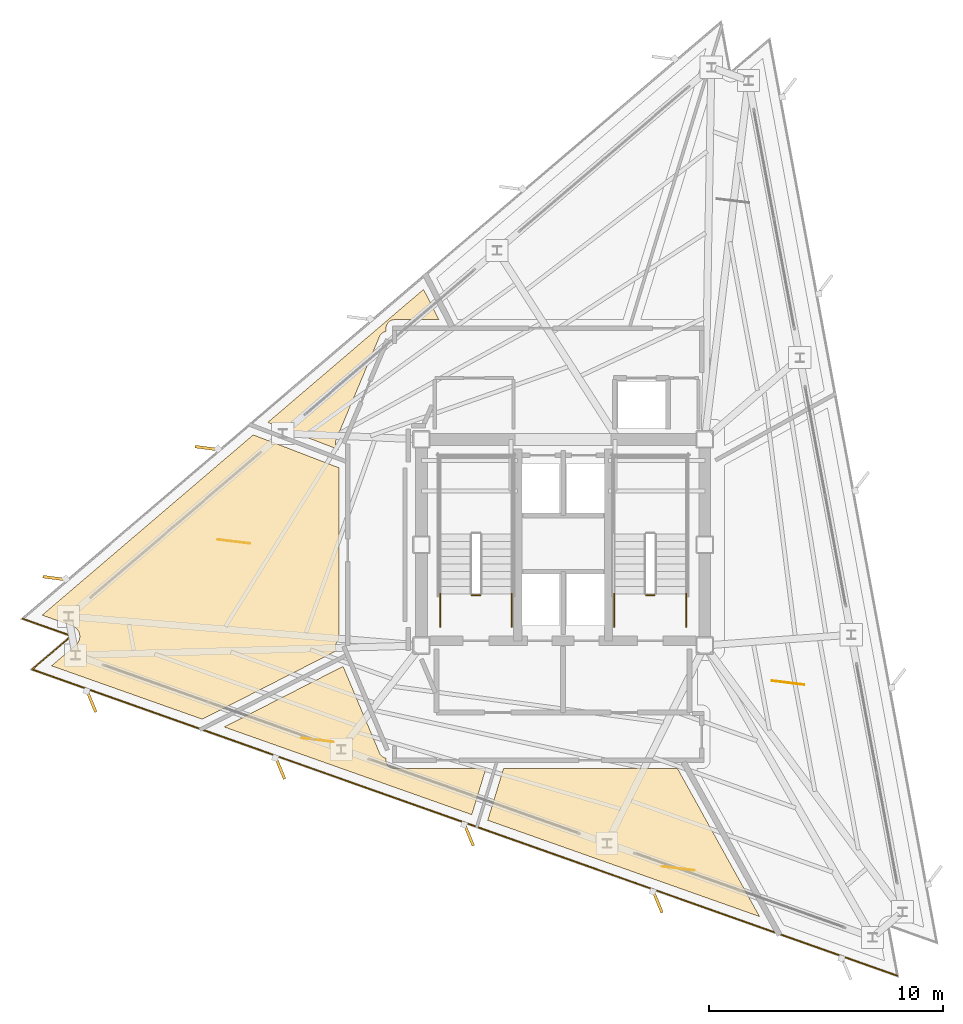
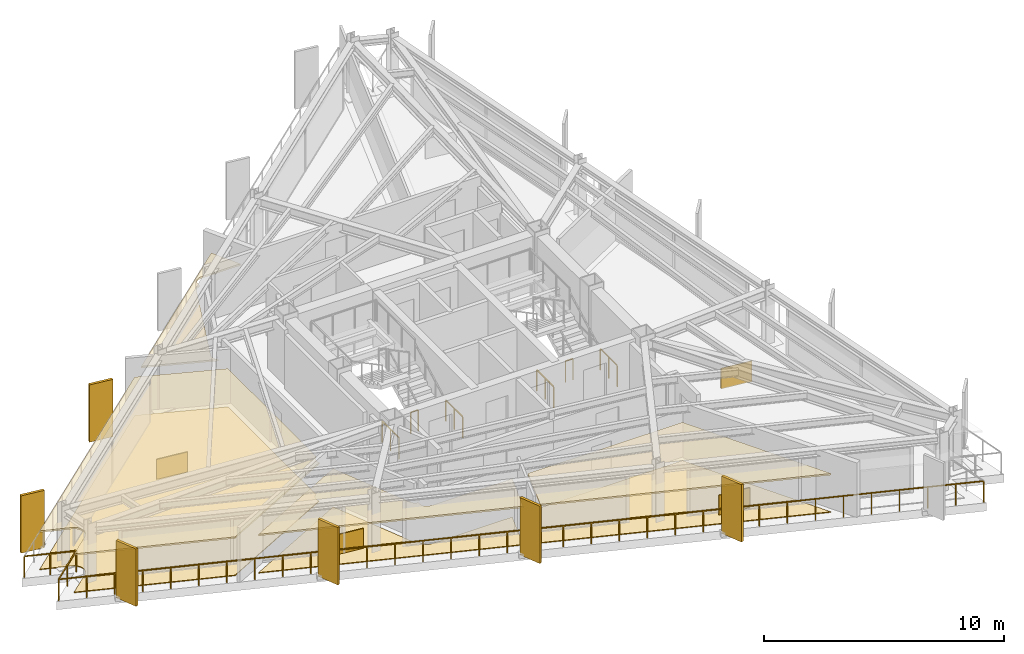
# One storey, part 11 of 14: 11 coverings, 7 railings, 6 shading devices.
"""IFC4 building model written with IfcOpenShell, lengths in metres."""

from ifc_helpers import new_model, si_unit, direction, frame, origin, origin_2d, place, context, subcontext, project, spatial, polyline, rectangle, outline, extrude, material, layer, layer_set, type_object, element, save


model = new_model("IFC4")

# Units and contexts
model_context = context("Model", 3, precision=1e-05, world=origin(), true_north=direction((0.0, 1.0)))
body_context = subcontext(model_context, "Body", "Model", "MODEL_VIEW")
ifc_project = project(units=[si_unit("LENGTHUNIT", "METRE"), si_unit("AREAUNIT", "SQUARE_METRE"), si_unit("VOLUMEUNIT", "CUBIC_METRE"), si_unit("PLANEANGLEUNIT", "RADIAN"), si_unit("MASSUNIT", "GRAM", prefix="KILO")], contexts=[model_context])

# Site, building, storey
site_placement = place(None, origin())
site = spatial("IfcSite", under=ifc_project, at=site_placement, CompositionType="ELEMENT")
building_placement = place(site_placement, origin())
building = spatial("IfcBuilding", under=site, at=building_placement, Name="Rocaltana Carrier Exchange", CompositionType="ELEMENT")
storey_placement = place(building_placement, frame((0.0, 0.0, 175.360107421875)))
storey = spatial("IfcBuildingStorey", under=building, at=storey_placement, Name="L55", CompositionType="ELEMENT", Elevation=175.360107421875)

# Coverings
ifc_material_1 = material(Name="Honed Bogota Sandstone Tile", Category="masonry")
ifc_layer_1 = layer(ifc_material_1, 0.0400390625)
ifc_layer_set_1 = layer_set([ifc_layer_1], Name="Honed Bogota Sandstone Tile")
covering_type_1 = type_object("IfcCoveringType", Name="Honed Stone Lobby Flooring 40", PredefinedType="FLOORING", material=ifc_layer_set_1)
covering_1_placement = place(storey_placement, origin())
element("IfcCovering", 1, at=covering_1_placement, inside=storey, type_object=covering_type_1, Name="L55 Client Reception Foyer Finish Floor", PredefinedType="FLOORING", context=body_context, shape_type="SweptSolid", body=[
    extrude(outline(polyline([(-20.80615234375, -4.279052734375), (-20.795654296875, -4.269775390625), (-20.78125, -4.256103515625), (-20.761962890625, -4.23583984375), (-20.748779296875, -4.220703125), (-20.731689453125, -4.19873046875), (-20.72021484375, -4.1826171875), (-20.705078125, -4.158935546875), (-20.6953125, -4.1416015625), (-20.682861328125, -4.11669921875), (-20.6748046875, -4.098388671875), (-20.664794921875, -4.072265625), (-20.65869140625, -4.053466796875), (-20.6513671875, -4.0263671875), (-20.64697265625, -4.0068359375), (-20.642333984375, -3.9794921875), (-20.64013671875, -3.959716796875), (-20.63818359375, -3.931884765625), (-20.637939453125, -3.911865234375), (-20.638916015625, -3.8837890625), (-20.640625, -3.864013671875), (-20.644287109375, -3.83642578125), (-20.64794921875, -3.81689453125), (-20.654296875, -3.78955078125), (-20.659912109375, -3.7705078125), (-20.6689453125, -3.744140625), (-20.676513671875, -3.7255859375), (-20.688232421875, -3.7001953125), (-20.697509765625, -3.6826171875), (-20.711669921875, -3.658447265625), (-20.72265625, -3.641845703125), (-20.739013671875, -3.619384765625), (-20.751708984375, -3.60400390625), (-20.770263671875, -3.5830078125), (-20.7841796875, -3.569091796875), (-20.804931640625, -3.55029296875), (-20.8203125, -3.53759765625), (-20.8427734375, -3.520751953125), (-20.859375, -3.509765625), (-20.88330078125, -3.495361328125), (-20.90087890625, -3.486083984375), (-20.926025390625, -3.47412109375), (-20.944580078125, -3.466552734375), (-20.95751953125, -3.46142578125), (-22.247802734375, -3.004638671875), (-13.2333984375, 4.694091796875), (-9.56005859375, 3.2841796875), (-9.56005859375, -4.052001953125), (-9.57177734375, -4.06005859375), (-9.578125, -4.064697265625), (-9.59912109375, -4.082275390625), (-9.60498046875, -4.087646484375), (-9.624267578125, -4.107177734375), (-9.629638671875, -4.113037109375), (-9.64697265625, -4.134521484375), (-9.651611328125, -4.140625), (-9.666748046875, -4.16357421875), (-9.670654296875, -4.17041015625), (-9.68359375, -4.194580078125), (-9.686767578125, -4.201904296875), (-9.697265625, -4.227294921875), (-9.69970703125, -4.234619140625), (-9.70751953125, -4.260986328125), (-9.70947265625, -4.2685546875), (-9.714599609375, -4.295654296875), (-9.7158203125, -4.30322265625), (-9.718505859375, -4.330810546875), (-9.71875, -4.33837890625), (-9.718505859375, -4.365966796875), (-9.71826171875, -4.373779296875), (-9.71533203125, -4.401123046875), (-9.714111328125, -4.408935546875), (-9.70849609375, -4.435791015625), (-9.706787109375, -4.443603515625), (-9.698486328125, -4.4697265625), (-9.69580078125, -4.47705078125), (-9.69091796875, -4.489990234375), (-9.67578125, -4.52587890625), (-15.4091796875, -7.447509765625), (-21.8466796875, -5.167724609375), (-20.80615234375, -4.279052734375)])), origin(), (0.0, 0.0, 1.0), 0.039794921875),
])
covering_2_placement = place(storey_placement, origin())
element("IfcCovering", 2, at=covering_2_placement, inside=storey, type_object=covering_type_1, Name="L55 Staff Break Pantry Finish Floor", PredefinedType="FLOORING", context=body_context, shape_type="SweptSolid", body=[
    extrude(outline(polyline([(-14.4736328125, -7.77880859375), (-9.39599609375, -5.19140625), (-7.8408203125, -8.889892578125), (-7.835205078125, -8.90234375), (-7.831787109375, -8.909423828125), (-7.818603515625, -8.93359375), (-7.814697265625, -8.9404296875), (-7.79931640625, -8.963134765625), (-7.794677734375, -8.969482421875), (-7.777099609375, -8.990478515625), (-7.771728515625, -8.996337890625), (-7.752197265625, -9.015625), (-7.746337890625, -9.02099609375), (-7.72509765625, -9.038330078125), (-7.71875, -9.04296875), (-7.69580078125, -9.05810546875), (-7.68896484375, -9.06201171875), (-7.664794921875, -9.074951171875), (-7.65771484375, -9.078125), (-7.632080078125, -9.088623046875), (-7.624755859375, -9.09130859375), (-7.598388671875, -9.09912109375), (-7.5908203125, -9.100830078125), (-7.563720703125, -9.106201171875), (-7.56005859375, -9.106689453125), (-7.56005859375, -9.199951171875), (-7.559814453125, -9.213623046875), (-7.559326171875, -9.2216796875), (-7.556640625, -9.248779296875), (-7.555419921875, -9.256591796875), (-7.550048828125, -9.28369140625), (-7.548095703125, -9.291259765625), (-7.540283203125, -9.317626953125), (-7.53759765625, -9.324951171875), (-7.527099609375, -9.350341796875), (-7.523681640625, -9.357421875), (-7.5107421875, -9.381591796875), (-7.506591796875, -9.388427734375), (-7.491455078125, -9.4111328125), (-7.48681640625, -9.41748046875), (-7.46923828125, -9.438720703125), (-7.464111328125, -9.444580078125), (-7.444580078125, -9.464111328125), (-7.438720703125, -9.46923828125), (-7.41748046875, -9.48681640625), (-7.4111328125, -9.491455078125), (-7.388427734375, -9.506591796875), (-7.381591796875, -9.5107421875), (-7.357421875, -9.523681640625), (-7.350341796875, -9.527099609375), (-7.324951171875, -9.53759765625), (-7.317626953125, -9.540283203125), (-7.291259765625, -9.548095703125), (-7.28369140625, -9.550048828125), (-7.256591796875, -9.555419921875), (-7.248779296875, -9.556640625), (-7.2216796875, -9.559326171875), (-7.213623046875, -9.559814453125), (-7.199951171875, -9.56005859375), (-3.29931640625, -9.56005859375), (-3.8994140625, -11.523193359375), (-14.4736328125, -7.77880859375)])), origin(), (0.0, 0.0, 1.0), 0.039794921875),
])
covering_3_placement = place(storey_placement, origin())
element("IfcCovering", 3, at=covering_3_placement, inside=storey, type_object=covering_type_1, Name="L55 Client Reception Foyer Finish Floor", PredefinedType="FLOORING", context=body_context, shape_type="SweptSolid", body=[
    extrude(outline(polyline([(-3.22021484375, -11.763916015625), (-2.54638671875, -9.56005859375), (4.8876953125, -9.56005859375), (8.3876953125, -15.874267578125), (-3.22021484375, -11.763916015625)])), origin(), (0.0, 0.0, 1.0), 0.039794921875),
])
ifc_material_2 = material(Name="Anodised Aluminium 6063-T6", Category="aluminium")
ifc_layer_2 = layer(ifc_material_2, 0.0849609375)
ifc_layer_set_2 = layer_set([ifc_layer_2], Name="Anodised Aluminium 6063-T6")
covering_type_2 = type_object("IfcCoveringType", Name="Linear Baffle Acoustic Ceiling 85", PredefinedType="CEILING", material=ifc_layer_set_2)
covering_4_placement = place(storey_placement, frame((0.0, 0.0, 1.90283203125)))
element("IfcCovering", 4, at=covering_4_placement, inside=storey, type_object=covering_type_2, Name="L55 Client Reception Foyer Acoustic Ceiling", PredefinedType="CEILING", context=body_context, shape_type="SweptSolid", body=[
    extrude(outline(polyline([(-20.80615234375, -4.279052734375), (-20.795654296875, -4.269775390625), (-20.78125, -4.256103515625), (-20.761962890625, -4.23583984375), (-20.748779296875, -4.220703125), (-20.731689453125, -4.19873046875), (-20.72021484375, -4.1826171875), (-20.705078125, -4.158935546875), (-20.6953125, -4.1416015625), (-20.682861328125, -4.11669921875), (-20.6748046875, -4.098388671875), (-20.664794921875, -4.072265625), (-20.65869140625, -4.053466796875), (-20.6513671875, -4.0263671875), (-20.64697265625, -4.0068359375), (-20.642333984375, -3.9794921875), (-20.64013671875, -3.959716796875), (-20.63818359375, -3.931884765625), (-20.637939453125, -3.911865234375), (-20.638916015625, -3.8837890625), (-20.640625, -3.864013671875), (-20.644287109375, -3.83642578125), (-20.64794921875, -3.81689453125), (-20.654296875, -3.78955078125), (-20.659912109375, -3.7705078125), (-20.6689453125, -3.744140625), (-20.676513671875, -3.7255859375), (-20.688232421875, -3.7001953125), (-20.697509765625, -3.6826171875), (-20.711669921875, -3.658447265625), (-20.72265625, -3.641845703125), (-20.739013671875, -3.619384765625), (-20.751708984375, -3.60400390625), (-20.770263671875, -3.5830078125), (-20.7841796875, -3.569091796875), (-20.804931640625, -3.55029296875), (-20.8203125, -3.53759765625), (-20.8427734375, -3.520751953125), (-20.859375, -3.509765625), (-20.88330078125, -3.495361328125), (-20.90087890625, -3.486083984375), (-20.926025390625, -3.47412109375), (-20.944580078125, -3.466552734375), (-20.95751953125, -3.46142578125), (-22.247802734375, -3.004638671875), (-13.2333984375, 4.694091796875), (-9.56005859375, 3.2841796875), (-9.56005859375, -4.052001953125), (-9.57177734375, -4.06005859375), (-9.578125, -4.064697265625), (-9.59912109375, -4.082275390625), (-9.60498046875, -4.087646484375), (-9.624267578125, -4.107177734375), (-9.629638671875, -4.113037109375), (-9.64697265625, -4.134521484375), (-9.651611328125, -4.140625), (-9.666748046875, -4.16357421875), (-9.670654296875, -4.17041015625), (-9.68359375, -4.194580078125), (-9.686767578125, -4.201904296875), (-9.697265625, -4.227294921875), (-9.69970703125, -4.234619140625), (-9.70751953125, -4.260986328125), (-9.70947265625, -4.2685546875), (-9.714599609375, -4.295654296875), (-9.7158203125, -4.30322265625), (-9.718505859375, -4.330810546875), (-9.71875, -4.33837890625), (-9.718505859375, -4.365966796875), (-9.71826171875, -4.373779296875), (-9.71533203125, -4.401123046875), (-9.714111328125, -4.408935546875), (-9.70849609375, -4.435791015625), (-9.706787109375, -4.443603515625), (-9.698486328125, -4.4697265625), (-9.69580078125, -4.47705078125), (-9.69091796875, -4.489990234375), (-9.67578125, -4.52587890625), (-15.4091796875, -7.447509765625), (-21.8466796875, -5.167724609375), (-20.80615234375, -4.279052734375)])), origin(), (0.0, 0.0, 1.0), 0.0849609375),
])
covering_5_placement = place(storey_placement, frame((0.0, 0.0, 1.90283203125)))
element("IfcCovering", 5, at=covering_5_placement, inside=storey, type_object=covering_type_2, Name="L55 Staff Break Pantry Acoustic Ceiling", PredefinedType="CEILING", context=body_context, shape_type="SweptSolid", body=[
    extrude(outline(polyline([(-14.4736328125, -7.77880859375), (-9.39599609375, -5.19140625), (-7.8408203125, -8.889892578125), (-7.835205078125, -8.90234375), (-7.831787109375, -8.909423828125), (-7.818603515625, -8.93359375), (-7.814697265625, -8.9404296875), (-7.79931640625, -8.963134765625), (-7.794677734375, -8.969482421875), (-7.777099609375, -8.990478515625), (-7.771728515625, -8.996337890625), (-7.752197265625, -9.015625), (-7.746337890625, -9.02099609375), (-7.72509765625, -9.038330078125), (-7.71875, -9.04296875), (-7.69580078125, -9.05810546875), (-7.68896484375, -9.06201171875), (-7.664794921875, -9.074951171875), (-7.65771484375, -9.078125), (-7.632080078125, -9.088623046875), (-7.624755859375, -9.09130859375), (-7.598388671875, -9.09912109375), (-7.5908203125, -9.100830078125), (-7.563720703125, -9.106201171875), (-7.56005859375, -9.106689453125), (-7.56005859375, -9.199951171875), (-7.559814453125, -9.213623046875), (-7.559326171875, -9.2216796875), (-7.556640625, -9.248779296875), (-7.555419921875, -9.256591796875), (-7.550048828125, -9.28369140625), (-7.548095703125, -9.291259765625), (-7.540283203125, -9.317626953125), (-7.53759765625, -9.324951171875), (-7.527099609375, -9.350341796875), (-7.523681640625, -9.357421875), (-7.5107421875, -9.381591796875), (-7.506591796875, -9.388427734375), (-7.491455078125, -9.4111328125), (-7.48681640625, -9.41748046875), (-7.46923828125, -9.438720703125), (-7.464111328125, -9.444580078125), (-7.444580078125, -9.464111328125), (-7.438720703125, -9.46923828125), (-7.41748046875, -9.48681640625), (-7.4111328125, -9.491455078125), (-7.388427734375, -9.506591796875), (-7.381591796875, -9.5107421875), (-7.357421875, -9.523681640625), (-7.350341796875, -9.527099609375), (-7.324951171875, -9.53759765625), (-7.317626953125, -9.540283203125), (-7.291259765625, -9.548095703125), (-7.28369140625, -9.550048828125), (-7.256591796875, -9.555419921875), (-7.248779296875, -9.556640625), (-7.2216796875, -9.559326171875), (-7.213623046875, -9.559814453125), (-7.199951171875, -9.56005859375), (-3.29931640625, -9.56005859375), (-3.8994140625, -11.523193359375), (-14.4736328125, -7.77880859375)])), origin(), (0.0, 0.0, 1.0), 0.0849609375),
])
covering_6_placement = place(storey_placement, frame((0.0, 0.0, 1.90283203125)))
element("IfcCovering", 6, at=covering_6_placement, inside=storey, type_object=covering_type_2, Name="L55 Client Reception Foyer Acoustic Ceiling", PredefinedType="CEILING", context=body_context, shape_type="SweptSolid", body=[
    extrude(outline(polyline([(-3.22021484375, -11.763916015625), (-2.54638671875, -9.56005859375), (4.8876953125, -9.56005859375), (8.3876953125, -15.874267578125), (-3.22021484375, -11.763916015625)])), origin(), (0.0, 0.0, 1.0), 0.0849609375),
])
covering_7_placement = place(storey_placement, frame((0.0, 0.0, 1.90283203125)))
element("IfcCovering", 7, at=covering_7_placement, inside=storey, type_object=covering_type_2, Name="L55 Client Reception Foyer Acoustic Ceiling", PredefinedType="CEILING", context=body_context, shape_type="SweptSolid", body=[
    extrude(outline(polyline([(-9.571044921875, 4.0595703125), (-12.610595703125, 5.226318359375), (-5.960693359375, 10.90576171875), (-5.300537109375, 9.610107421875), (-7.199951171875, 9.610107421875), (-7.213623046875, 9.609619140625), (-7.2216796875, 9.609375), (-7.248779296875, 9.606689453125), (-7.256591796875, 9.60546875), (-7.28369140625, 9.60009765625), (-7.291259765625, 9.59814453125), (-7.317626953125, 9.590087890625), (-7.324951171875, 9.58740234375), (-7.350341796875, 9.576904296875), (-7.357421875, 9.57373046875), (-7.381591796875, 9.560791015625), (-7.388427734375, 9.556640625), (-7.4111328125, 9.54150390625), (-7.41748046875, 9.53662109375), (-7.438720703125, 9.519287109375), (-7.444580078125, 9.513916015625), (-7.464111328125, 9.49462890625), (-7.46923828125, 9.48876953125), (-7.48681640625, 9.467529296875), (-7.491455078125, 9.461181640625), (-7.506591796875, 9.4384765625), (-7.5107421875, 9.431640625), (-7.523681640625, 9.407470703125), (-7.527099609375, 9.400390625), (-7.53759765625, 9.375), (-7.540283203125, 9.36767578125), (-7.548095703125, 9.34130859375), (-7.550048828125, 9.33349609375), (-7.555419921875, 9.306640625), (-7.556640625, 9.298828125), (-7.559326171875, 9.271484375), (-7.559814453125, 9.263671875), (-7.56005859375, 9.25), (-7.56005859375, 9.106689453125), (-7.563720703125, 9.106201171875), (-7.5908203125, 9.100830078125), (-7.598388671875, 9.09912109375), (-7.624755859375, 9.09130859375), (-7.632080078125, 9.088623046875), (-7.65771484375, 9.078125), (-7.664794921875, 9.074951171875), (-7.68896484375, 9.06201171875), (-7.69580078125, 9.05810546875), (-7.71875, 9.04296875), (-7.72509765625, 9.038330078125), (-7.746337890625, 9.02099609375), (-7.752197265625, 9.015625), (-7.771728515625, 8.996337890625), (-7.777099609375, 8.990478515625), (-7.794677734375, 8.969482421875), (-7.79931640625, 8.963134765625), (-7.814697265625, 8.9404296875), (-7.818603515625, 8.93359375), (-7.831787109375, 8.909423828125), (-7.835205078125, 8.90234375), (-7.8408203125, 8.889892578125), (-9.69091796875, 4.489990234375), (-9.69580078125, 4.47705078125), (-9.698486328125, 4.4697265625), (-9.706787109375, 4.443603515625), (-9.70849609375, 4.435791015625), (-9.714111328125, 4.408935546875), (-9.71533203125, 4.401123046875), (-9.71826171875, 4.373779296875), (-9.718505859375, 4.365966796875), (-9.71875, 4.33837890625), (-9.718505859375, 4.330810546875), (-9.7158203125, 4.30322265625), (-9.714599609375, 4.295654296875), (-9.70947265625, 4.2685546875), (-9.70751953125, 4.260986328125), (-9.69970703125, 4.234619140625), (-9.697265625, 4.227294921875), (-9.686767578125, 4.201904296875), (-9.68359375, 4.194580078125), (-9.670654296875, 4.17041015625), (-9.666748046875, 4.16357421875), (-9.651611328125, 4.140625), (-9.64697265625, 4.134521484375), (-9.629638671875, 4.113037109375), (-9.624267578125, 4.107177734375), (-9.60498046875, 4.087646484375), (-9.59912109375, 4.082275390625), (-9.578125, 4.064697265625), (-9.57177734375, 4.06005859375), (-9.571044921875, 4.0595703125)])), origin(), (0.0, 0.0, 1.0), 0.0849609375),
])

# Railings
ifc_material_3 = material(Name="Powder-Coated Aluminium 6063-T6", Category="aluminium")
ifc_layer_3 = layer(ifc_material_3, 0.048095703125)
ifc_layer_set_3 = layer_set([ifc_layer_3], Name="Powder-Coated Aluminium 6063-T6")
railing_type_1 = type_object("IfcRailingType", Name="Stair Well Guardrail 1100", PredefinedType="GUARDRAIL", material=ifc_layer_set_3)
railing_1_placement = place(storey_placement, frame((-3.5400390625, -2.14990234375, 0.0)))
element("IfcRailing", 8, at=railing_1_placement, inside=storey, type_object=railing_type_1, Name="L55 ST-1 stair guard 7", PredefinedType="GUARDRAIL", context=body_context, shape_type="SweptSolid", body=[
    extrude(rectangle(XDim=0.048095703125, YDim=0.048095703125, at=origin_2d()), frame((0.0, 0.0, 1.076171875), z_axis=(-1.0, 0.0, 0.0), x_axis=(0.0, -1.0, 0.0)), (0.0, 0.0, 1.0), 0.35986328125),
    extrude(rectangle(XDim=0.0419921875, YDim=0.0419921875, at=origin_2d()), origin(), (0.0, 0.0, 1.0), 1.052001953125),
    extrude(rectangle(XDim=0.0419921875, YDim=0.0419921875, at=origin_2d()), frame((-0.35986328125, 0.0, 0.0)), (0.0, 0.0, 1.0), 1.052001953125),
])
for number, where, name in (
    (9, (-2.18994140625, -3.5, 0.0), "L55 ST-1 stair guard 8"),
    (10, (-5.25, -3.5, 0.0), "L55 ST-1 stair guard 9"),
):
    element("IfcRailing", number, at=place(storey_placement, frame(where)), inside=storey, type_object=railing_type_1, Name=name, PredefinedType="GUARDRAIL", context=body_context, shape_type="SweptSolid", body=[
        extrude(rectangle(XDim=0.048095703125, YDim=0.048095703125, at=origin_2d()), frame((0.0, 0.0, 1.076171875), z_axis=(0.0, 1.0, 0.0), x_axis=(-1.0, 0.0, 0.0)), (0.0, 0.0, 1.0), 1.39990234375),
        extrude(rectangle(XDim=0.0419921875, YDim=0.0419921875, at=origin_2d()), origin(), (0.0, 0.0, 1.0), 1.052001953125),
        extrude(rectangle(XDim=0.0419921875, YDim=0.0419921875, at=origin_2d()), frame((0.0, 0.699951171875, 0.0)), (0.0, 0.0, 1.0), 1.052001953125),
        extrude(rectangle(XDim=0.0419921875, YDim=0.0419921875, at=origin_2d()), frame((0.0, 1.39990234375, 0.0)), (0.0, 0.0, 1.0), 1.052001953125),
    ])
railing_2_placement = place(storey_placement, frame((3.89990234375, -2.14990234375, 0.0)))
element("IfcRailing", 11, at=railing_2_placement, inside=storey, type_object=railing_type_1, Name="L55 ST-2 stair guard 7", PredefinedType="GUARDRAIL", context=body_context, shape_type="SweptSolid", body=[
    extrude(rectangle(XDim=0.048095703125, YDim=0.048095703125, at=origin_2d()), frame((0.0, 0.0, 1.076171875), z_axis=(-1.0, 0.0, 0.0), x_axis=(0.0, -1.0, 0.0)), (0.0, 0.0, 1.0), 0.35986328125),
    extrude(rectangle(XDim=0.0419921875, YDim=0.0419921875, at=origin_2d()), origin(), (0.0, 0.0, 1.0), 1.052001953125),
    extrude(rectangle(XDim=0.0419921875, YDim=0.0419921875, at=origin_2d()), frame((-0.35986328125, 0.0, 0.0)), (0.0, 0.0, 1.0), 1.052001953125),
])
for number, where, name in (
    (12, (5.25, -3.5, 0.0), "L55 ST-2 stair guard 8"),
    (13, (2.18994140625, -3.5, 0.0), "L55 ST-2 stair guard 9"),
):
    element("IfcRailing", number, at=place(storey_placement, frame(where)), inside=storey, type_object=railing_type_1, Name=name, PredefinedType="GUARDRAIL", context=body_context, shape_type="SweptSolid", body=[
        extrude(rectangle(XDim=0.048095703125, YDim=0.048095703125, at=origin_2d()), frame((0.0, 0.0, 1.076171875), z_axis=(0.0, 1.0, 0.0), x_axis=(-1.0, 0.0, 0.0)), (0.0, 0.0, 1.0), 1.39990234375),
        extrude(rectangle(XDim=0.0419921875, YDim=0.0419921875, at=origin_2d()), origin(), (0.0, 0.0, 1.0), 1.052001953125),
        extrude(rectangle(XDim=0.0419921875, YDim=0.0419921875, at=origin_2d()), frame((0.0, 0.699951171875, 0.0)), (0.0, 0.0, 1.0), 1.052001953125),
        extrude(rectangle(XDim=0.0419921875, YDim=0.0419921875, at=origin_2d()), frame((0.0, 1.39990234375, 0.0)), (0.0, 0.0, 1.0), 1.052001953125),
    ])

# Coverings
ifc_material_4 = material(Name="Honed Piedra Muneca Sandstone", Category="masonry")
ifc_layer_4 = layer(ifc_material_4, 0.034912109375)
ifc_layer_set_4 = layer_set([ifc_layer_4], Name="Honed Piedra Muneca Sandstone")
covering_type_3 = type_object("IfcCoveringType", Name="Stone Facade Cladding 35", PredefinedType="CLADDING", material=ifc_layer_set_4)
for number, where, z_axis, x_axis, name in (
    (14, (-14.06298828125, 0.1396484375, 0.0), (0.0, 0.0, 1.0), (-0.992546151641, 0.121869343405, 0.0), "L55 Stone Facade Cladding Panel 1"),
    (15, (-10.489501953125, -8.334228515625, 0.0), (0.0, 0.0, 1.0), (-0.992546151641, 0.121869343405, 0.0), "L55 Stone Facade Cladding Panel 2"),
    (16, (4.916015625, -13.819091796875, 0.0), (0.0, 0.0, 1.0), (-0.992546151641, 0.121869343405, 0.0), "L55 Stone Facade Cladding Panel 3"),
    (17, (9.601318359375, -5.889892578125, 0.0), (0.0, 0.0, 1.0), (-0.992546151641, 0.121869343405, 0.0), "L55 Stone Facade Cladding Panel 4"),
):
    element("IfcCovering", number, at=place(storey_placement, frame(where, z_axis=z_axis, x_axis=x_axis)), inside=storey, type_object=covering_type_3, Name=name, PredefinedType="CLADDING", context=body_context, shape_type="SweptSolid", body=[
        extrude(rectangle(XDim=1.39990234375, YDim=0.034912109375, at=origin_2d()), origin(), (0.0, 0.0, 1.0), 1.050048828125),
    ])

# Shading devices
ifc_material_5 = material(Name="Honed Bogota Sandstone & Concrete C45/55", Category="masonry")
ifc_layer_5 = layer(ifc_material_5, 0.1201171875)
ifc_layer_set_5 = layer_set([ifc_layer_5], Name="Honed Bogota Sandstone & Concrete C45/55")
shading_device_type = type_object("IfcShadingDeviceType", Name="Upper Sandstone Shading Fin 1050x120", PredefinedType="USERDEFINED", material=ifc_layer_set_5)
for number, where, z_axis, x_axis, name in (
    (18, (-15.19384765625, 4.125, -0.1201171875), (0.0, 0.0, 1.0), (-0.991444861374, 0.13052619222, 0.0), "L55 Sandstone Vertical Fin F2-04"),
    (19, (-21.6953125, -1.427734375, -0.1201171875), (0.0, 0.0, 1.0), (-0.991444861374, 0.13052619222, 0.0), "L55 Sandstone Vertical Fin F2-05"),
    (20, (-20.154296875, -6.65869140625, -0.1201171875), (0.0, 0.0, 1.0), (0.382683432365, -0.923879532511, 0.0), "L55 Sandstone Vertical Fin F3-01"),
    (21, (-12.094482421875, -9.5126953125, -0.1201171875), (0.0, 0.0, 1.0), (0.382683432365, -0.923879532511, 0.0), "L55 Sandstone Vertical Fin F3-02"),
    (22, (-4.034912109375, -12.36669921875, -0.1201171875), (0.0, 0.0, 1.0), (0.382683432365, -0.923879532511, 0.0), "L55 Sandstone Vertical Fin F3-03"),
    (23, (4.0244140625, -15.220947265625, -0.1201171875), (0.0, 0.0, 1.0), (0.382683432365, -0.923879532511, 0.0), "L55 Sandstone Vertical Fin F3-04"),
):
    element("IfcShadingDevice", number, at=place(storey_placement, frame(where, z_axis=z_axis, x_axis=x_axis)), inside=storey, type_object=shading_device_type, Name=name, ObjectType="FIN", PredefinedType="USERDEFINED", context=body_context, shape_type="SweptSolid", body=[
        extrude(rectangle(XDim=1.050048828125, YDim=0.1201171875, at=origin_2d()), origin(), (0.0, 0.0, 1.0), 2.91796875),
    ])

# Railing
ifc_material_6 = material(Name="Powder-Coated Aluminium 6063-T6", Category="aluminium")
ifc_layer_6 = layer(ifc_material_6, 0.06005859375)
ifc_layer_set_6 = layer_set([ifc_layer_6], Name="Powder-Coated Aluminium 6063-T6")
railing_type_2 = type_object("IfcRailingType", Name="Wind-Floor & Terrace Perimeter Guardrail 1100", PredefinedType="GUARDRAIL", material=ifc_layer_set_6)
railing_3_placement = place(storey_placement, frame((14.271484375, -18.403564453125, 0.0)))
element("IfcRailing", 24, at=railing_3_placement, inside=storey, type_object=railing_type_2, Name="L55 Perimeter Balcony Guardrail 1", PredefinedType="GUARDRAIL", context=body_context, shape_type="SweptSolid", body=[
    extrude(rectangle(XDim=0.048095703125, YDim=0.048095703125, at=origin_2d()), frame((0.0, 0.0, 1.076171875), z_axis=(-0.94264008911, 0.333810818284, 0.0), x_axis=(-0.333810818284, -0.94264008911, 0.0)), (0.0, 0.0, 1.0), 39.192138671875),
    extrude(rectangle(XDim=0.048095703125, YDim=0.048095703125, at=origin_2d()), frame((-36.944091796875, 13.082763671875, 1.076171875), z_axis=(0.760414781346, 0.649437726275, 0.0), x_axis=(-0.649437726275, 0.760414781346, 0.0)), (0.0, 0.0, 1.0), 2.199951171875),
    extrude(rectangle(XDim=0.048095703125, YDim=0.048095703125, at=origin_2d()), frame((-35.271240234375, 14.511474609375, 1.076171875), z_axis=(-0.942637410797, 0.333818381408, 0.0), x_axis=(-0.333818381408, -0.942637410797, 0.0)), (0.0, 0.0, 1.0), 2.199951171875),
    extrude(rectangle(XDim=0.0419921875, YDim=0.0419921875, at=origin_2d()), origin(), (0.0, 0.0, 1.0), 1.052001953125),
    extrude(rectangle(XDim=0.0419921875, YDim=0.0419921875, at=origin_2d()), frame((-1.11962890625, 0.396484375, 0.0)), (0.0, 0.0, 1.0), 1.052001953125),
    extrude(rectangle(XDim=0.0419921875, YDim=0.0419921875, at=origin_2d()), frame((-2.239013671875, 0.79296875, 0.0)), (0.0, 0.0, 1.0), 1.052001953125),
    extrude(rectangle(XDim=0.0419921875, YDim=0.0419921875, at=origin_2d()), frame((-3.358642578125, 1.189453125, 0.0)), (0.0, 0.0, 1.0), 1.052001953125),
    extrude(rectangle(XDim=0.0419921875, YDim=0.0419921875, at=origin_2d()), frame((-4.47802734375, 1.585693359375, 0.0)), (0.0, 0.0, 1.0), 1.052001953125),
    extrude(rectangle(XDim=0.0419921875, YDim=0.0419921875, at=origin_2d()), frame((-5.59765625, 1.982177734375, 0.0)), (0.0, 0.0, 1.0), 1.052001953125),
    extrude(rectangle(XDim=0.0419921875, YDim=0.0419921875, at=origin_2d()), frame((-6.717041015625, 2.378662109375, 0.0)), (0.0, 0.0, 1.0), 1.052001953125),
    extrude(rectangle(XDim=0.0419921875, YDim=0.0419921875, at=origin_2d()), frame((-7.836669921875, 2.775146484375, 0.0)), (0.0, 0.0, 1.0), 1.052001953125),
    extrude(rectangle(XDim=0.0419921875, YDim=0.0419921875, at=origin_2d()), frame((-8.9560546875, 3.171630859375, 0.0)), (0.0, 0.0, 1.0), 1.052001953125),
    extrude(rectangle(XDim=0.0419921875, YDim=0.0419921875, at=origin_2d()), frame((-10.07568359375, 3.568115234375, 0.0)), (0.0, 0.0, 1.0), 1.052001953125),
    extrude(rectangle(XDim=0.0419921875, YDim=0.0419921875, at=origin_2d()), frame((-11.195068359375, 3.96435546875, 0.0)), (0.0, 0.0, 1.0), 1.052001953125),
    extrude(rectangle(XDim=0.0419921875, YDim=0.0419921875, at=origin_2d()), frame((-12.314697265625, 4.36083984375, 0.0)), (0.0, 0.0, 1.0), 1.052001953125),
    extrude(rectangle(XDim=0.0419921875, YDim=0.0419921875, at=origin_2d()), frame((-13.434326171875, 4.75732421875, 0.0)), (0.0, 0.0, 1.0), 1.052001953125),
    extrude(rectangle(XDim=0.0419921875, YDim=0.0419921875, at=origin_2d()), frame((-14.5537109375, 5.15380859375, 0.0)), (0.0, 0.0, 1.0), 1.052001953125),
    extrude(rectangle(XDim=0.0419921875, YDim=0.0419921875, at=origin_2d()), frame((-15.67333984375, 5.55029296875, 0.0)), (0.0, 0.0, 1.0), 1.052001953125),
    extrude(rectangle(XDim=0.0419921875, YDim=0.0419921875, at=origin_2d()), frame((-16.792724609375, 5.94677734375, 0.0)), (0.0, 0.0, 1.0), 1.052001953125),
    extrude(rectangle(XDim=0.0419921875, YDim=0.0419921875, at=origin_2d()), frame((-17.912353515625, 6.34326171875, 0.0)), (0.0, 0.0, 1.0), 1.052001953125),
    extrude(rectangle(XDim=0.0419921875, YDim=0.0419921875, at=origin_2d()), frame((-19.03173828125, 6.739501953125, 0.0)), (0.0, 0.0, 1.0), 1.052001953125),
    extrude(rectangle(XDim=0.0419921875, YDim=0.0419921875, at=origin_2d()), frame((-20.1513671875, 7.135986328125, 0.0)), (0.0, 0.0, 1.0), 1.052001953125),
    extrude(rectangle(XDim=0.0419921875, YDim=0.0419921875, at=origin_2d()), frame((-21.270751953125, 7.532470703125, 0.0)), (0.0, 0.0, 1.0), 1.052001953125),
    extrude(rectangle(XDim=0.0419921875, YDim=0.0419921875, at=origin_2d()), frame((-22.390380859375, 7.928955078125, 0.0)), (0.0, 0.0, 1.0), 1.052001953125),
    extrude(rectangle(XDim=0.0419921875, YDim=0.0419921875, at=origin_2d()), frame((-23.509765625, 8.325439453125, 0.0)), (0.0, 0.0, 1.0), 1.052001953125),
    extrude(rectangle(XDim=0.0419921875, YDim=0.0419921875, at=origin_2d()), frame((-24.62939453125, 8.721923828125, 0.0)), (0.0, 0.0, 1.0), 1.052001953125),
    extrude(rectangle(XDim=0.0419921875, YDim=0.0419921875, at=origin_2d()), frame((-25.7490234375, 9.118408203125, 0.0)), (0.0, 0.0, 1.0), 1.052001953125),
    extrude(rectangle(XDim=0.0419921875, YDim=0.0419921875, at=origin_2d()), frame((-26.868408203125, 9.5146484375, 0.0)), (0.0, 0.0, 1.0), 1.052001953125),
    extrude(rectangle(XDim=0.0419921875, YDim=0.0419921875, at=origin_2d()), frame((-27.988037109375, 9.9111328125, 0.0)), (0.0, 0.0, 1.0), 1.052001953125),
    extrude(rectangle(XDim=0.0419921875, YDim=0.0419921875, at=origin_2d()), frame((-29.107421875, 10.3076171875, 0.0)), (0.0, 0.0, 1.0), 1.052001953125),
    extrude(rectangle(XDim=0.0419921875, YDim=0.0419921875, at=origin_2d()), frame((-30.22705078125, 10.7041015625, 0.0)), (0.0, 0.0, 1.0), 1.052001953125),
    extrude(rectangle(XDim=0.0419921875, YDim=0.0419921875, at=origin_2d()), frame((-31.346435546875, 11.1005859375, 0.0)), (0.0, 0.0, 1.0), 1.052001953125),
    extrude(rectangle(XDim=0.0419921875, YDim=0.0419921875, at=origin_2d()), frame((-32.466064453125, 11.4970703125, 0.0)), (0.0, 0.0, 1.0), 1.052001953125),
    extrude(rectangle(XDim=0.0419921875, YDim=0.0419921875, at=origin_2d()), frame((-33.58544921875, 11.893310546875, 0.0)), (0.0, 0.0, 1.0), 1.052001953125),
    extrude(rectangle(XDim=0.0419921875, YDim=0.0419921875, at=origin_2d()), frame((-34.705078125, 12.289794921875, 0.0)), (0.0, 0.0, 1.0), 1.052001953125),
    extrude(rectangle(XDim=0.0419921875, YDim=0.0419921875, at=origin_2d()), frame((-35.824462890625, 12.686279296875, 0.0)), (0.0, 0.0, 1.0), 1.052001953125),
    extrude(rectangle(XDim=0.0419921875, YDim=0.0419921875, at=origin_2d()), frame((-36.944091796875, 13.082763671875, 0.0)), (0.0, 0.0, 1.0), 1.052001953125),
    extrude(rectangle(XDim=0.0419921875, YDim=0.0419921875, at=origin_2d()), frame((-36.107666015625, 13.797119140625, 0.0)), (0.0, 0.0, 1.0), 1.052001953125),
    extrude(rectangle(XDim=0.0419921875, YDim=0.0419921875, at=origin_2d()), frame((-35.271240234375, 14.511474609375, 0.0)), (0.0, 0.0, 1.0), 1.052001953125),
    extrude(rectangle(XDim=0.0419921875, YDim=0.0419921875, at=origin_2d()), frame((-36.30810546875, 14.878662109375, 0.0)), (0.0, 0.0, 1.0), 1.052001953125),
    extrude(rectangle(XDim=0.0419921875, YDim=0.0419921875, at=origin_2d()), frame((-37.344970703125, 15.245849609375, 0.0)), (0.0, 0.0, 1.0), 1.052001953125),
])

save(model, "model.ifc")
